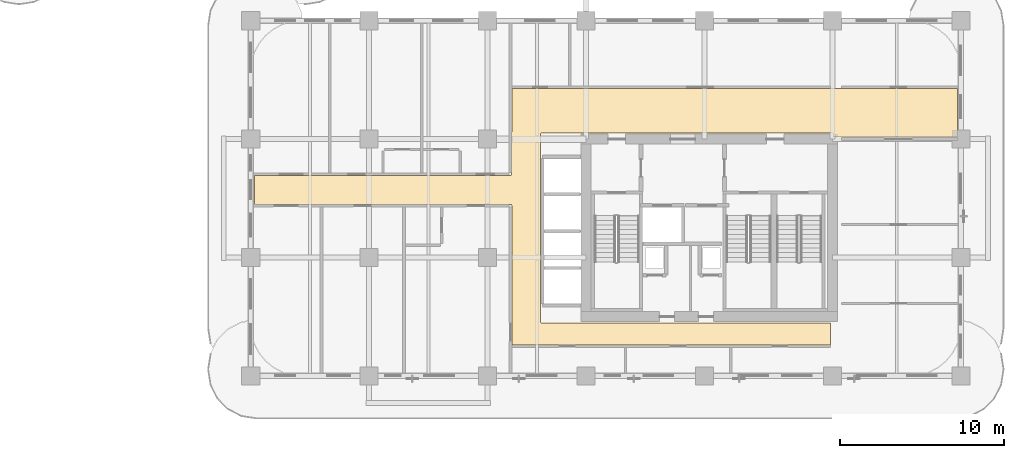
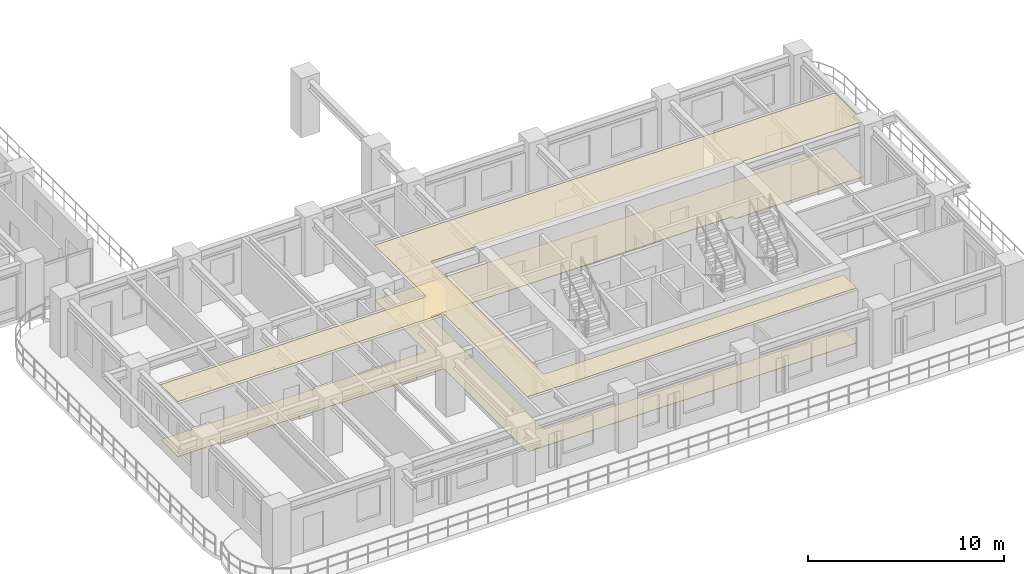
# One storey, part 16 of 19: 2 coverings.
"""IFC4 building model written with IfcOpenShell, lengths in metres."""

from ifc_helpers import new_model, si_unit, derived_unit, direction, frame, origin, place, context, subcontext, project, spatial, polyline, outline, extrude, material, layer, layer_set, type_object, element, save


model = new_model("IFC4")

# Units and contexts
model_context = context("Model", 3, precision=1e-05, world=origin(), true_north=direction((0.0, 1.0)))
body_context = subcontext(model_context, "Body", "Model", "MODEL_VIEW")
ifc_project = project(units=[si_unit("LENGTHUNIT", "METRE"), si_unit("AREAUNIT", "SQUARE_METRE"), si_unit("VOLUMEUNIT", "CUBIC_METRE"), si_unit("PLANEANGLEUNIT", "RADIAN"), si_unit("MASSUNIT", "GRAM", prefix="KILO"), si_unit("THERMODYNAMICTEMPERATUREUNIT", "KELVIN"), si_unit("POWERUNIT", "WATT"), derived_unit("THERMALTRANSMITTANCEUNIT", [(si_unit("POWERUNIT", "WATT"), 1), (si_unit("AREAUNIT", "SQUARE_METRE"), -1), (si_unit("THERMODYNAMICTEMPERATUREUNIT", "KELVIN"), -1)])], contexts=[model_context])

# Site, building, storey
site_placement = place(None, origin())
site = spatial("IfcSite", under=ifc_project, at=site_placement, CompositionType="ELEMENT")
building_placement = place(site_placement, origin())
building = spatial("IfcBuilding", under=site, at=building_placement, Name="Zahravan Archway Hotel and Residences", CompositionType="ELEMENT")
storey_placement = place(building_placement, frame((0.0, 0.0, 54.60009765625)))
storey = spatial("IfcBuildingStorey", under=building, at=storey_placement, Name="L12", CompositionType="ELEMENT", Elevation=54.60009765625)

# Coverings
ifc_material_1 = material(Name="Perforated Acoustic Gypsum Ceiling")
ifc_layer_1 = layer(ifc_material_1, 0.02490234375, Name="Perforated Acoustic Gypsum Ceiling")
ifc_layer_set_1 = layer_set([ifc_layer_1], Name="Perforated Acoustic Gypsum Ceiling")
covering_type_1 = type_object("IfcCoveringType", Name="COV-CEIL-ACST", PredefinedType="CEILING", material=ifc_layer_set_1)
covering_1_placement = place(storey_placement, frame((0.0, 0.0, 3.4248046875)))
element("IfcCovering", 1, at=covering_1_placement, inside=storey, type_object=covering_type_1, Name="L12 Acoustic Corridor Ceiling", PredefinedType="CEILING", context=body_context, shape_type="SweptSolid", body=[
    extrude(outline(polyline([(57.3798828125, 14.530029296875), (49.830078125, 14.530029296875), (49.830078125, 14.699951171875), (49.81640625, 14.744384765625), (49.780517578125, 14.77392578125), (32.10009765625, 14.780029296875), (32.0556640625, 14.7666015625), (32.026123046875, 14.730712890625), (32.02001953125, 3.300048828125), (32.033447265625, 3.255615234375), (32.0693359375, 3.22607421875), (49.669921875, 3.219970703125), (49.669921875, 1.8798828125), (30.280029296875, 1.8798828125), (30.280029296875, 10.35009765625), (30.2666015625, 10.394287109375), (30.230712890625, 10.423828125), (14.6201171875, 10.429931640625), (14.6201171875, 12.18994140625), (30.199951171875, 12.18994140625), (30.244384765625, 12.20361328125), (30.27392578125, 12.239501953125), (30.280029296875, 17.469970703125), (57.3798828125, 17.469970703125), (57.3798828125, 14.530029296875)])), origin(), (0.0, 0.0, 1.0), 0.025146484375),
])
ifc_material_2 = material(Name="Honed Margalla Limestone & Mortar Bed", Category="masonry")
ifc_layer_2 = layer(ifc_material_2, 0.030029296875, Name="Honed Margalla Limestone & Mortar Bed", Category="masonry")
ifc_layer_set_2 = layer_set([ifc_layer_2], Name="Honed Margalla Limestone & Mortar Bed")
covering_type_2 = type_object("IfcCoveringType", Name="COV-FLR-STONE", PredefinedType="FLOORING", material=ifc_layer_set_2)
covering_2_placement = place(storey_placement, origin())
element("IfcCovering", 2, at=covering_2_placement, inside=storey, type_object=covering_type_2, Name="L12 Circulation Floor Finish", PredefinedType="FLOORING", context=body_context, shape_type="SweptSolid", body=[
    extrude(outline(polyline([(57.3798828125, 14.530029296875), (49.830078125, 14.530029296875), (49.830078125, 14.699951171875), (49.81640625, 14.744384765625), (49.780517578125, 14.77392578125), (32.10009765625, 14.780029296875), (32.0556640625, 14.7666015625), (32.026123046875, 14.730712890625), (32.02001953125, 3.300048828125), (32.033447265625, 3.255615234375), (32.0693359375, 3.22607421875), (49.669921875, 3.219970703125), (49.669921875, 1.8798828125), (30.280029296875, 1.8798828125), (30.280029296875, 10.35009765625), (30.2666015625, 10.394287109375), (30.230712890625, 10.423828125), (14.6201171875, 10.429931640625), (14.6201171875, 12.18994140625), (30.199951171875, 12.18994140625), (30.244384765625, 12.20361328125), (30.27392578125, 12.239501953125), (30.280029296875, 17.469970703125), (57.3798828125, 17.469970703125), (57.3798828125, 14.530029296875)])), origin(), (0.0, 0.0, 1.0), 0.02978515625),
])

save(model, "model.ifc")
